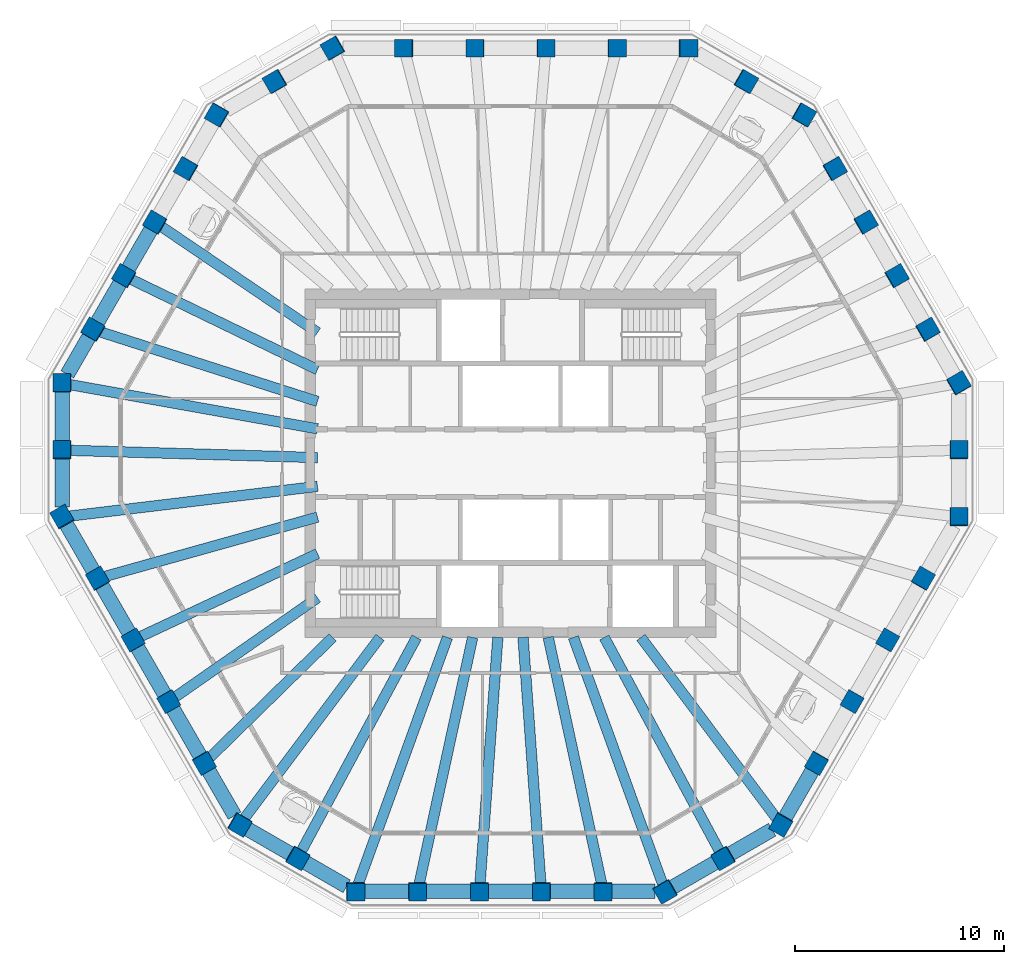
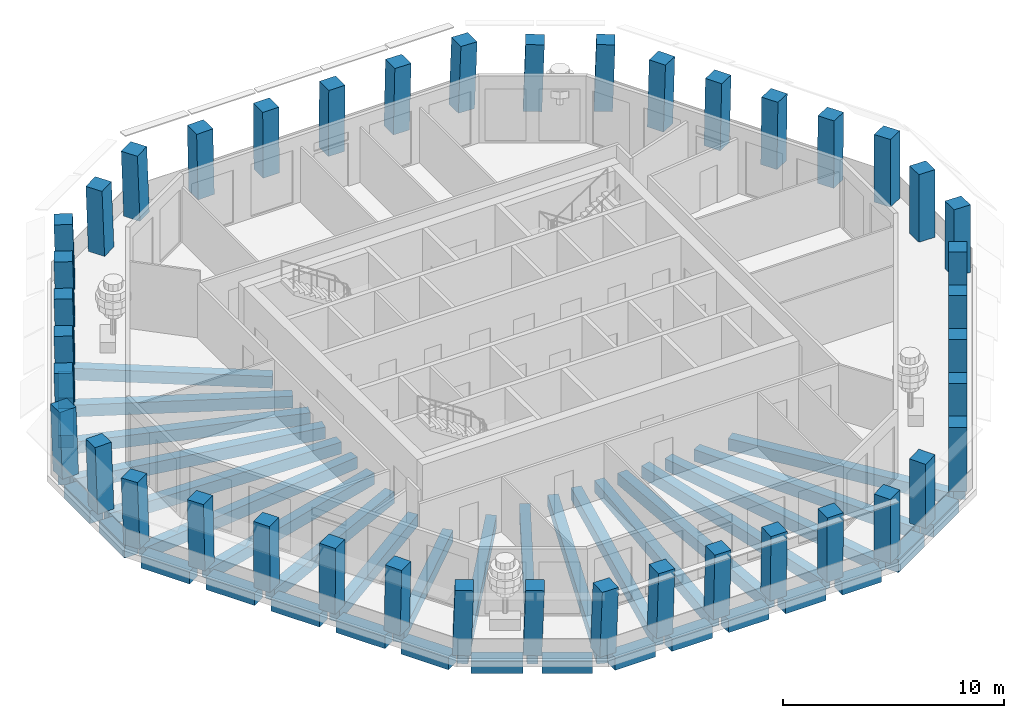
# One storey, part 1 of 11: 42 columns, 40 beams.
"""IFC4 building model written with IfcOpenShell, lengths in metres."""

from ifc_helpers import new_model, si_unit, direction, frame, origin, origin_2d, place, context, subcontext, project, spatial, rectangle, extrude, material, material_profile, profile_set, type_object, element, save


model = new_model("IFC4")

# Units and contexts
model_context = context("Model", 3, precision=1e-05, world=origin(), true_north=direction((0.0, 1.0)))
body_context = subcontext(model_context, "Body", "Model", "MODEL_VIEW")
ifc_project = project(units=[si_unit("LENGTHUNIT", "METRE"), si_unit("AREAUNIT", "SQUARE_METRE"), si_unit("VOLUMEUNIT", "CUBIC_METRE"), si_unit("PLANEANGLEUNIT", "RADIAN"), si_unit("MASSUNIT", "GRAM", prefix="KILO")], contexts=[model_context])

# Site, building, storey
site_placement = place(None, origin())
site = spatial("IfcSite", under=ifc_project, at=site_placement, CompositionType="ELEMENT")
building_placement = place(site_placement, origin())
building = spatial("IfcBuilding", under=site, at=building_placement, Name="Frailejon Research Tower", CompositionType="ELEMENT")
storey_placement = place(building_placement, frame((0.0, 0.0, 328.60009765625)))
storey = spatial("IfcBuildingStorey", under=building, at=storey_placement, Name="L73", CompositionType="ELEMENT", Elevation=328.60009765625)

# Columns
ifc_material_1 = material(Name="Concrete C50/60", Category="concrete")
ifc_material_profile_1 = material_profile(ifc_material_1, rectangle(XDim=0.85009765625, YDim=0.85009765625, at=origin_2d()), Name="Column 850")
ifc_profile_set_1 = profile_set([ifc_material_profile_1], Name="Concrete C50/60")
column_type = type_object("IfcColumnType", Name="Column 850", PredefinedType="COLUMN", material=ifc_profile_set_1)
for number, where, z_axis, x_axis, name in (
    (1, (21.490478515625, -2.577392578125, 0.0), (0.018115203871, 0.031350666477, 0.999344272561), (-0.000374749584, 0.999508428335, -0.031349023127), "Column C01"),
    (2, (21.490478515625, 0.62841796875, 0.0), (0.018115165867, 0.031417446337, 0.999342176049), (-0.001297375745, 0.999506085267, -0.031399081689), "Column C02"),
    (3, (21.490478515625, 3.834716796875, 0.0), (0.018115203871, 0.031350666477, 0.999344272561), (-0.50024246066, 0.865696385282, -0.018090026613), "Column C03"),
):
    element("IfcColumn", number, at=place(storey_placement, frame(where, z_axis=z_axis, x_axis=x_axis)), inside=storey, type_object=column_type, Name=name, PredefinedType="COLUMN", context=body_context, shape_type="SweptSolid", body=[
        extrude(rectangle(XDim=0.85009765625, YDim=0.85009765625, at=origin_2d()), origin(), (0.0, 0.0, 1.0), 3.65234375),
    ])
column_1_placement = place(storey_placement, frame((20.005615234375, 6.406494140625, 0.0), z_axis=(0.021727128018, 0.025136615799, 0.999447888814), x_axis=(-0.501407060892, 0.86514336922, -0.010858636257)))
element("IfcColumn", 4, at=column_1_placement, inside=storey, type_object=column_type, Name="Column C04", PredefinedType="COLUMN", context=body_context, shape_type="SweptSolid", body=[
    extrude(rectangle(XDim=0.85009765625, YDim=0.85009765625, at=origin_2d()), origin(), (0.0, 0.0, 1.0), 3.65185546875),
])
for number, where, z_axis, x_axis, name in (
    (5, (18.520751953125, 8.978271484375, 0.0), (0.025338523594, 0.018853466104, 0.999501128583), (-0.500627648171, 0.865655086229, -0.00363724787), "Column C05"),
    (6, (17.035888671875, 11.55029296875, 0.0), (0.028948783264, 0.012568986729, 0.999501870193), (-0.500578291993, 0.865683733157, 0.003612164455), "Column C06"),
):
    element("IfcColumn", number, at=place(storey_placement, frame(where, z_axis=z_axis, x_axis=x_axis)), inside=storey, type_object=column_type, Name=name, PredefinedType="COLUMN", context=body_context, shape_type="SweptSolid", body=[
        extrude(rectangle(XDim=0.85009765625, YDim=0.85009765625, at=origin_2d()), origin(), (0.0, 0.0, 1.0), 3.651611328125),
    ])
column_2_placement = place(storey_placement, frame((15.55078125, 14.1220703125, 0.0), z_axis=(0.032690901241, 0.006284140525, 0.999445753682), x_axis=(-0.49982900143, 0.866055473539, 0.010903489444)))
element("IfcColumn", 7, at=column_2_placement, inside=storey, type_object=column_type, Name="Column C07", PredefinedType="COLUMN", context=body_context, shape_type="SweptSolid", body=[
    extrude(rectangle(XDim=0.85009765625, YDim=0.85009765625, at=origin_2d()), origin(), (0.0, 0.0, 1.0), 3.65185546875),
])
for number, where, z_axis, x_axis, name in (
    (8, (14.066162109375, 16.69384765625, 0.0), (0.036230378439, 0.0, 0.99934346432), (-0.865314641241, 0.500246354177, 0.031371273281), "Column C08"),
    (9, (11.28955078125, 18.297119140625, 0.0), (0.036297136169, 0.0, 0.99934104184), (-0.865312543657, 0.500246354177, 0.031429077673), "Column C09"),
    (10, (8.512939453125, 19.89990234375, 0.0), (0.036297136169, 0.0, 0.99934104184), (-0.99934104184, 0.0, 0.036297136169), "Column C10"),
):
    element("IfcColumn", number, at=place(storey_placement, frame(where, z_axis=z_axis, x_axis=x_axis)), inside=storey, type_object=column_type, Name=name, PredefinedType="COLUMN", context=body_context, shape_type="SweptSolid", body=[
        extrude(rectangle(XDim=0.85009765625, YDim=0.85009765625, at=origin_2d()), origin(), (0.0, 0.0, 1.0), 3.65234375),
    ])
column_3_placement = place(storey_placement, frame((5.10791015625, 19.89990234375, 0.0), z_axis=(0.021733995409, 0.0, 0.999763788824), x_axis=(-0.999763788824, 0.0, 0.021733995409)))
element("IfcColumn", 11, at=column_3_placement, inside=storey, type_object=column_type, Name="Column C11", PredefinedType="COLUMN", context=body_context, shape_type="SweptSolid", body=[
    extrude(rectangle(XDim=0.85009765625, YDim=0.85009765625, at=origin_2d()), origin(), (0.0, 0.0, 1.0), 3.65087890625),
])
for number, where, z_axis, x_axis, name in (
    (12, (1.70263671875, 19.89990234375, 0.0), (0.007223891772, 0.0, 0.999973907353), (-0.999973907353, 0.0, 0.007223891772), "Column C12"),
    (13, (-1.70263671875, 19.89990234375, 0.0), (-0.007223891772, 0.0, 0.999973907353), (-0.999973907353, 0.0, -0.007223891772), "Column C13"),
):
    element("IfcColumn", number, at=place(storey_placement, frame(where, z_axis=z_axis, x_axis=x_axis)), inside=storey, type_object=column_type, Name=name, PredefinedType="COLUMN", context=body_context, shape_type="SweptSolid", body=[
        extrude(rectangle(XDim=0.85009765625, YDim=0.85009765625, at=origin_2d()), origin(), (0.0, 0.0, 1.0), 3.64990234375),
    ])
column_4_placement = place(storey_placement, frame((-5.10791015625, 19.89990234375, 0.0), z_axis=(-0.021733995409, 0.0, 0.999763788824), x_axis=(-0.999763788824, 0.0, -0.021733995409)))
element("IfcColumn", 14, at=column_4_placement, inside=storey, type_object=column_type, Name="Column C14", PredefinedType="COLUMN", context=body_context, shape_type="SweptSolid", body=[
    extrude(rectangle(XDim=0.85009765625, YDim=0.85009765625, at=origin_2d()), origin(), (0.0, 0.0, 1.0), 3.65087890625),
])
for number, where, z_axis, x_axis, name in (
    (15, (-8.512939453125, 19.89990234375, 0.0), (-0.036297136169, 0.0, 0.99934104184), (-0.865312543657, -0.500246354177, -0.031429077673), "Column C15"),
    (16, (-11.28955078125, 18.297119140625, 0.0), (-0.036297136169, 0.0, 0.99934104184), (-0.865312543657, -0.500246354177, -0.031429077673), "Column C16"),
    (17, (-14.066162109375, 16.69384765625, 0.0), (-0.036230378439, 0.0, 0.99934346432), (-0.499425499283, -0.866167613071, -0.018106262248), "Column C17"),
):
    element("IfcColumn", number, at=place(storey_placement, frame(where, z_axis=z_axis, x_axis=x_axis)), inside=storey, type_object=column_type, Name=name, PredefinedType="COLUMN", context=body_context, shape_type="SweptSolid", body=[
        extrude(rectangle(XDim=0.85009765625, YDim=0.85009765625, at=origin_2d()), origin(), (0.0, 0.0, 1.0), 3.65234375),
    ])
column_5_placement = place(storey_placement, frame((-15.55078125, 14.1220703125, 0.0), z_axis=(-0.032690901241, 0.006284140525, 0.999445753682), x_axis=(-0.49982900143, -0.866055473539, -0.010903489444)))
element("IfcColumn", 18, at=column_5_placement, inside=storey, type_object=column_type, Name="Column C18", PredefinedType="COLUMN", context=body_context, shape_type="SweptSolid", body=[
    extrude(rectangle(XDim=0.85009765625, YDim=0.85009765625, at=origin_2d()), origin(), (0.0, 0.0, 1.0), 3.65185546875),
])
for number, where, z_axis, x_axis, name in (
    (19, (-17.035888671875, 11.55029296875, 0.0), (-0.028948783264, 0.012568986729, 0.999501870193), (-0.500578291993, -0.865683733157, -0.003612164455), "Column C19"),
    (20, (-18.520751953125, 8.978271484375, 0.0), (-0.025338523594, 0.018853466104, 0.999501128583), (-0.500627648171, -0.865655086229, 0.00363724787), "Column C20"),
):
    element("IfcColumn", number, at=place(storey_placement, frame(where, z_axis=z_axis, x_axis=x_axis)), inside=storey, type_object=column_type, Name=name, PredefinedType="COLUMN", context=body_context, shape_type="SweptSolid", body=[
        extrude(rectangle(XDim=0.85009765625, YDim=0.85009765625, at=origin_2d()), origin(), (0.0, 0.0, 1.0), 3.651611328125),
    ])
column_6_placement = place(storey_placement, frame((-20.005615234375, 6.406494140625, 0.0), z_axis=(-0.021727128018, 0.025136615799, 0.999447888814), x_axis=(-0.501407060892, -0.86514336922, 0.010858636257)))
element("IfcColumn", 21, at=column_6_placement, inside=storey, type_object=column_type, Name="Column C21", PredefinedType="COLUMN", context=body_context, shape_type="SweptSolid", body=[
    extrude(rectangle(XDim=0.85009765625, YDim=0.85009765625, at=origin_2d()), origin(), (0.0, 0.0, 1.0), 3.65185546875),
])
for number, where, z_axis, x_axis, name in (
    (22, (-21.490478515625, 3.834716796875, 0.0), (-0.018115203871, 0.031350666477, 0.999344272561), (-0.000374749584, -0.999508428335, 0.031349023127), "Column C22"),
    (23, (-21.490478515625, 0.62841796875, 0.0), (-0.018115165867, 0.031417446337, 0.999342176049), (-0.001297375745, -0.999506085267, 0.031399081689), "Column C23"),
    (24, (-21.490478515625, -2.577392578125, 0.0), (-0.018115203871, 0.031350666477, 0.999344272561), (0.499839742394, -0.865360738107, 0.036208077349), "Column C24"),
):
    element("IfcColumn", number, at=place(storey_placement, frame(where, z_axis=z_axis, x_axis=x_axis)), inside=storey, type_object=column_type, Name=name, PredefinedType="COLUMN", context=body_context, shape_type="SweptSolid", body=[
        extrude(rectangle(XDim=0.85009765625, YDim=0.85009765625, at=origin_2d()), origin(), (0.0, 0.0, 1.0), 3.65234375),
    ])
column_7_placement = place(storey_placement, frame((-19.787841796875, -5.526611328125, 0.0), z_axis=(-0.010833557325, 0.018858414602, 0.999763469144), x_axis=(0.498285075857, -0.866740432575, 0.0217486946)))
element("IfcColumn", 25, at=column_7_placement, inside=storey, type_object=column_type, Name="Column C25", PredefinedType="COLUMN", context=body_context, shape_type="SweptSolid", body=[
    extrude(rectangle(XDim=0.85009765625, YDim=0.85009765625, at=origin_2d()), origin(), (0.0, 0.0, 1.0), 3.65087890625),
])
for number, where, z_axis, x_axis, name in (
    (26, (-18.085205078125, -8.4755859375, 0.0), (-0.003611945175, 0.00628746012, 0.999973710503), (0.497890394796, -0.867209649664, 0.007251089524), "Column C26"),
    (27, (-16.382568359375, -11.424560546875, 0.0), (0.003611945175, -0.00628746012, 0.999973710503), (0.497890394796, -0.867209649664, -0.007251089524), "Column C27"),
):
    element("IfcColumn", number, at=place(storey_placement, frame(where, z_axis=z_axis, x_axis=x_axis)), inside=storey, type_object=column_type, Name=name, PredefinedType="COLUMN", context=body_context, shape_type="SweptSolid", body=[
        extrude(rectangle(XDim=0.85009765625, YDim=0.85009765625, at=origin_2d()), origin(), (0.0, 0.0, 1.0), 3.64990234375),
    ])
column_8_placement = place(storey_placement, frame((-14.679931640625, -14.37353515625, 0.0), z_axis=(0.010833557325, -0.018858414602, 0.999763469144), x_axis=(0.498285075857, -0.866740432575, -0.0217486946)))
element("IfcColumn", 28, at=column_8_placement, inside=storey, type_object=column_type, Name="Column C28", PredefinedType="COLUMN", context=body_context, shape_type="SweptSolid", body=[
    extrude(rectangle(XDim=0.85009765625, YDim=0.85009765625, at=origin_2d()), origin(), (0.0, 0.0, 1.0), 3.65087890625),
])
for number, where, z_axis, x_axis, name in (
    (29, (-12.977294921875, -17.322509765625, 0.0), (0.018115165867, -0.031417446337, 0.999342176049), (0.865519692755, -0.499889378995, -0.031404939456), "Column C29"),
    (30, (-10.200927734375, -18.925537109375, 0.0), (0.018115165867, -0.031417446337, 0.999342176049), (0.865519692755, -0.499889378995, -0.031404939456), "Column C30"),
    (31, (-7.42431640625, -20.528564453125, 0.0), (0.018115165867, -0.031417446337, 0.999342176049), (0.999835898247, 0.000437581599, -0.018110358868), "Column C31"),
):
    element("IfcColumn", number, at=place(storey_placement, frame(where, z_axis=z_axis, x_axis=x_axis)), inside=storey, type_object=column_type, Name=name, PredefinedType="COLUMN", context=body_context, shape_type="SweptSolid", body=[
        extrude(rectangle(XDim=0.85009765625, YDim=0.85009765625, at=origin_2d()), origin(), (0.0, 0.0, 1.0), 3.65234375),
    ])
column_9_placement = place(storey_placement, frame((-4.45458984375, -20.528564453125, 0.0), z_axis=(0.010896978963, -0.031420736888, 0.99944684358), x_axis=(0.99994040428, 0.001008258557, -0.0108706625)))
element("IfcColumn", 32, at=column_9_placement, inside=storey, type_object=column_type, Name="Column C32", PredefinedType="COLUMN", context=body_context, shape_type="SweptSolid", body=[
    extrude(rectangle(XDim=0.85009765625, YDim=0.85009765625, at=origin_2d()), origin(), (0.0, 0.0, 1.0), 3.65185546875),
])
for number, where, z_axis, x_axis, name in (
    (33, (-1.48486328125, -20.528564453125, 0.0), (0.003610232938, -0.031422397791, 0.999499674405), (0.999993379572, -0.000341341874, -0.00362274737), "Column C33"),
    (34, (1.48486328125, -20.528564453125, 0.0), (-0.003610232938, -0.031422397791, 0.999499674405), (0.999993379572, 0.000341341874, 0.00362274737), "Column C34"),
):
    element("IfcColumn", number, at=place(storey_placement, frame(where, z_axis=z_axis, x_axis=x_axis)), inside=storey, type_object=column_type, Name=name, PredefinedType="COLUMN", context=body_context, shape_type="SweptSolid", body=[
        extrude(rectangle(XDim=0.85009765625, YDim=0.85009765625, at=origin_2d()), origin(), (0.0, 0.0, 1.0), 3.651611328125),
    ])
column_10_placement = place(storey_placement, frame((4.45458984375, -20.528564453125, 0.0), z_axis=(-0.010896978963, -0.031420736888, 0.99944684358), x_axis=(0.99994040428, -0.001008258557, 0.0108706625)))
element("IfcColumn", 35, at=column_10_placement, inside=storey, type_object=column_type, Name="Column C35", PredefinedType="COLUMN", context=body_context, shape_type="SweptSolid", body=[
    extrude(rectangle(XDim=0.85009765625, YDim=0.85009765625, at=origin_2d()), origin(), (0.0, 0.0, 1.0), 3.65185546875),
])
for number, where, z_axis, x_axis, name in (
    (36, (7.42431640625, -20.528564453125, 0.0), (-0.018115165867, -0.031417446337, 0.999342176049), (0.865818316477, 0.499372659284, 0.031394107935), "Column C36"),
    (37, (10.200927734375, -18.925537109375, 0.0), (-0.018115165867, -0.031417446337, 0.999342176049), (0.865519692755, 0.499889378995, 0.031404939456), "Column C37"),
    (38, (12.977294921875, -17.322509765625, 0.0), (-0.018115165867, -0.031417446337, 0.999342176049), (0.499040470376, 0.865819492615, 0.036265894916), "Column C38"),
):
    element("IfcColumn", number, at=place(storey_placement, frame(where, z_axis=z_axis, x_axis=x_axis)), inside=storey, type_object=column_type, Name=name, PredefinedType="COLUMN", context=body_context, shape_type="SweptSolid", body=[
        extrude(rectangle(XDim=0.85009765625, YDim=0.85009765625, at=origin_2d()), origin(), (0.0, 0.0, 1.0), 3.65234375),
    ])
column_11_placement = place(storey_placement, frame((14.679931640625, -14.37353515625, 0.0), z_axis=(-0.010833557325, -0.018858414602, 0.999763469144), x_axis=(0.498285075857, 0.866740432575, 0.0217486946)))
element("IfcColumn", 39, at=column_11_placement, inside=storey, type_object=column_type, Name="Column C39", PredefinedType="COLUMN", context=body_context, shape_type="SweptSolid", body=[
    extrude(rectangle(XDim=0.85009765625, YDim=0.85009765625, at=origin_2d()), origin(), (0.0, 0.0, 1.0), 3.65087890625),
])
for number, where, z_axis, x_axis, name in (
    (40, (16.382568359375, -11.424560546875, 0.0), (-0.003611945175, -0.00628746012, 0.999973710503), (0.497890394796, 0.867209649664, 0.007251089524), "Column C40"),
    (41, (18.085205078125, -8.4755859375, 0.0), (0.003611945175, 0.00628746012, 0.999973710503), (0.497890394796, 0.867209649664, -0.007251089524), "Column C41"),
):
    element("IfcColumn", number, at=place(storey_placement, frame(where, z_axis=z_axis, x_axis=x_axis)), inside=storey, type_object=column_type, Name=name, PredefinedType="COLUMN", context=body_context, shape_type="SweptSolid", body=[
        extrude(rectangle(XDim=0.85009765625, YDim=0.85009765625, at=origin_2d()), origin(), (0.0, 0.0, 1.0), 3.64990234375),
    ])
column_12_placement = place(storey_placement, frame((19.787841796875, -5.526611328125, 0.0), z_axis=(0.010833557325, 0.018858414602, 0.999763469144), x_axis=(0.498285075857, 0.866740432575, -0.0217486946)))
element("IfcColumn", 42, at=column_12_placement, inside=storey, type_object=column_type, Name="Column C42", PredefinedType="COLUMN", context=body_context, shape_type="SweptSolid", body=[
    extrude(rectangle(XDim=0.85009765625, YDim=0.85009765625, at=origin_2d()), origin(), (0.0, 0.0, 1.0), 3.65087890625),
])

# Beams
ifc_material_2 = material(Name="Concrete C60/75", Category="concrete")
ifc_material_profile_2 = material_profile(ifc_material_2, rectangle(XDim=0.5, YDim=0.64990234375, at=origin_2d()), Name="Girder 500x650")
ifc_profile_set_2 = profile_set([ifc_material_profile_2], Name="Concrete C60/75")
beam_type_1 = type_object("IfcBeamType", Name="Girder 500x650", PredefinedType="BEAM", material=ifc_profile_set_2)
beam_1_placement = place(storey_placement, frame((-16.807373046875, 11.395263671875, -0.625), z_axis=(0.827701551615, -0.561168549951, 0.0), x_axis=(0.561168549951, 0.827701551615, 0.0)))
element("IfcBeam", 43, at=beam_1_placement, inside=storey, type_object=beam_type_1, Name="Girder 500x650", PredefinedType="BEAM", context=body_context, shape_type="SweptSolid", body=[
    extrude(rectangle(XDim=0.5, YDim=0.64990234375, at=origin_2d()), origin(), (0.0, 0.0, 1.0), 9.130615234375),
])
beam_2_placement = place(storey_placement, frame((-18.272216796875, 8.85791015625, -0.625), z_axis=(0.8998387269, -0.43622272473, 0.0), x_axis=(0.43622272473, 0.8998387269, 0.0)))
element("IfcBeam", 44, at=beam_2_placement, inside=storey, type_object=beam_type_1, Name="Girder 500x650", PredefinedType="BEAM", context=body_context, shape_type="SweptSolid", body=[
    extrude(rectangle(XDim=0.5, YDim=0.64990234375, at=origin_2d()), origin(), (0.0, 0.0, 1.0), 10.0263671875),
])
beam_3_placement = place(storey_placement, frame((-19.734130859375, 6.319580078125, -0.625), z_axis=(0.952358204697, -0.304981720676, 0.0), x_axis=(0.304981720676, 0.952358204697, 0.0)))
element("IfcBeam", 45, at=beam_3_placement, inside=storey, type_object=beam_type_1, Name="Girder 500x650", PredefinedType="BEAM", context=body_context, shape_type="SweptSolid", body=[
    extrude(rectangle(XDim=0.5, YDim=0.64990234375, at=origin_2d()), origin(), (0.0, 0.0, 1.0), 11.008544921875),
])
beam_4_placement = place(storey_placement, frame((-21.213134765625, 3.78515625, -0.625), z_axis=(0.984449049228, -0.175670343186, 0.0), x_axis=(0.175670343186, 0.984449049228, 0.0)))
element("IfcBeam", 46, at=beam_4_placement, inside=storey, type_object=beam_type_1, Name="Girder 500x650", PredefinedType="BEAM", context=body_context, shape_type="SweptSolid", body=[
    extrude(rectangle(XDim=0.5, YDim=0.64990234375, at=origin_2d()), origin(), (0.0, 0.0, 1.0), 12.152099609375),
])
beam_5_placement = place(storey_placement, frame((-21.21533203125, 0.62060546875, -0.625), z_axis=(0.999572220313, -0.029246818281, 0.0), x_axis=(0.029246818281, 0.999572220313, 0.0)))
element("IfcBeam", 47, at=beam_5_placement, inside=storey, type_object=beam_type_1, Name="Girder 500x650", PredefinedType="BEAM", context=body_context, shape_type="SweptSolid", body=[
    extrude(rectangle(XDim=0.5, YDim=0.64990234375, at=origin_2d()), origin(), (0.0, 0.0, 1.0), 11.970458984375),
])
beam_6_placement = place(storey_placement, frame((-21.180419921875, -2.540283203125, -0.625), z_axis=(0.992884143441, 0.119084330217, 0.0), x_axis=(-0.119084330217, 0.992884143441, 0.0)))
element("IfcBeam", 48, at=beam_6_placement, inside=storey, type_object=beam_type_1, Name="Girder 500x650", PredefinedType="BEAM", context=body_context, shape_type="SweptSolid", body=[
    extrude(rectangle(XDim=0.5, YDim=0.64990234375, at=origin_2d()), origin(), (0.0, 0.0, 1.0), 12.015869140625),
])
beam_7_placement = place(storey_placement, frame((-19.509765625, -5.44873046875, -0.625), z_axis=(0.963146606042, 0.268976979072, 0.0), x_axis=(-0.268976979072, 0.963146606042, 0.0)))
element("IfcBeam", 49, at=beam_7_placement, inside=storey, type_object=beam_type_1, Name="Girder 500x650", PredefinedType="BEAM", context=body_context, shape_type="SweptSolid", body=[
    extrude(rectangle(XDim=0.5, YDim=0.64990234375, at=origin_2d()), origin(), (0.0, 0.0, 1.0), 10.65234375),
])
beam_8_placement = place(storey_placement, frame((-17.834716796875, -8.358154296875, -0.625), z_axis=(0.905495116527, 0.424356682457, 0.0), x_axis=(-0.424356682457, 0.905495116527, 0.0)))
element("IfcBeam", 50, at=beam_8_placement, inside=storey, type_object=beam_type_1, Name="Girder 500x650", PredefinedType="BEAM", context=body_context, shape_type="SweptSolid", body=[
    extrude(rectangle(XDim=0.5, YDim=0.64990234375, at=origin_2d()), origin(), (0.0, 0.0, 1.0), 9.480712890625),
])
beam_9_placement = place(storey_placement, frame((-16.15576171875, -11.266357421875, -0.625), z_axis=(0.820241495827, 0.572017384808, 0.0), x_axis=(-0.572017384808, 0.820241495827, 0.0)))
element("IfcBeam", 51, at=beam_9_placement, inside=storey, type_object=beam_type_1, Name="Girder 500x650", PredefinedType="BEAM", context=body_context, shape_type="SweptSolid", body=[
    extrude(rectangle(XDim=0.5, YDim=0.64990234375, at=origin_2d()), origin(), (0.0, 0.0, 1.0), 8.419189453125),
])
beam_10_placement = place(storey_placement, frame((-14.4736328125, -14.17138671875, -0.625), z_axis=(0.714534565686, 0.699600138965, 0.0), x_axis=(-0.699600138965, 0.714534565686, 0.0)))
element("IfcBeam", 52, at=beam_10_placement, inside=storey, type_object=beam_type_1, Name="Girder 500x650", PredefinedType="BEAM", context=body_context, shape_type="SweptSolid", body=[
    extrude(rectangle(XDim=0.5, YDim=0.64990234375, at=origin_2d()), origin(), (0.0, 0.0, 1.0), 8.32080078125),
])
beam_11_placement = place(storey_placement, frame((-12.810791015625, -17.10009765625, -0.625), z_axis=(0.599571170204, 0.800321442834, 0.0), x_axis=(-0.800321442834, 0.599571170204, 0.0)))
element("IfcBeam", 53, at=beam_11_placement, inside=storey, type_object=beam_type_1, Name="Girder 500x650", PredefinedType="BEAM", context=body_context, shape_type="SweptSolid", body=[
    extrude(rectangle(XDim=0.5, YDim=0.64990234375, at=origin_2d()), origin(), (0.0, 0.0, 1.0), 10.93310546875),
])
beam_12_placement = place(storey_placement, frame((-10.0703125, -18.683349609375, -0.625), z_axis=(0.474464414929, 0.880274683815, 0.0), x_axis=(-0.880274683815, 0.474464414929, 0.0)))
element("IfcBeam", 54, at=beam_12_placement, inside=storey, type_object=beam_type_1, Name="Girder 500x650", PredefinedType="BEAM", context=body_context, shape_type="SweptSolid", body=[
    extrude(rectangle(XDim=0.5, YDim=0.64990234375, at=origin_2d()), origin(), (0.0, 0.0, 1.0), 11.73876953125),
])
beam_13_placement = place(storey_placement, frame((-7.321533203125, -20.24462890625, -0.625), z_axis=(0.340099764745, 0.940389360861, 0.0), x_axis=(-0.940389360861, 0.340099764745, 0.0)))
element("IfcBeam", 55, at=beam_13_placement, inside=storey, type_object=beam_type_1, Name="Girder 500x650", PredefinedType="BEAM", context=body_context, shape_type="SweptSolid", body=[
    extrude(rectangle(XDim=0.5, YDim=0.64990234375, at=origin_2d()), origin(), (0.0, 0.0, 1.0), 12.6484375),
])
beam_14_placement = place(storey_placement, frame((-4.394287109375, -20.25, -0.625), z_axis=(0.21206421355, 0.977255733844, 0.0), x_axis=(-0.977255733844, 0.21206421355, 0.0)))
element("IfcBeam", 56, at=beam_14_placement, inside=storey, type_object=beam_type_1, Name="Girder 500x650", PredefinedType="BEAM", context=body_context, shape_type="SweptSolid", body=[
    extrude(rectangle(XDim=0.5, YDim=0.64990234375, at=origin_2d()), origin(), (0.0, 0.0, 1.0), 12.1767578125),
])
for number, where, z_axis, x_axis, name in (
    (57, (-1.465087890625, -20.253173828125, -0.625), (0.072152747522, 0.997393593836, 0.0), (-0.997393593836, 0.072152747522, 0.0), "Girder 500x650"),
    (58, (1.465087890625, -20.253173828125, -0.625), (-0.072152747522, 0.997393593836, 0.0), (-0.997393593836, -0.072152747522, 0.0), "Girder 500x650"),
):
    element("IfcBeam", number, at=place(storey_placement, frame(where, z_axis=z_axis, x_axis=x_axis)), inside=storey, type_object=beam_type_1, Name=name, PredefinedType="BEAM", context=body_context, shape_type="SweptSolid", body=[
        extrude(rectangle(XDim=0.5, YDim=0.64990234375, at=origin_2d()), origin(), (0.0, 0.0, 1.0), 11.93408203125),
    ])
beam_15_placement = place(storey_placement, frame((4.394287109375, -20.25, -0.625), z_axis=(-0.21206421355, 0.977255733844, 0.0), x_axis=(-0.977255733844, -0.21206421355, 0.0)))
element("IfcBeam", 59, at=beam_15_placement, inside=storey, type_object=beam_type_1, Name="Girder 500x650", PredefinedType="BEAM", context=body_context, shape_type="SweptSolid", body=[
    extrude(rectangle(XDim=0.5, YDim=0.64990234375, at=origin_2d()), origin(), (0.0, 0.0, 1.0), 12.1767578125),
])
beam_16_placement = place(storey_placement, frame((7.32861328125, -20.263671875, -0.625), z_axis=(-0.34011323875, 0.940384487764, 0.0), x_axis=(-0.940384487764, -0.34011323875, 0.0)))
element("IfcBeam", 60, at=beam_16_placement, inside=storey, type_object=beam_type_1, Name="Girder 500x650", PredefinedType="BEAM", context=body_context, shape_type="SweptSolid", body=[
    extrude(rectangle(XDim=0.5, YDim=0.64990234375, at=origin_2d()), origin(), (0.0, 0.0, 1.0), 12.6689453125),
])
beam_17_placement = place(storey_placement, frame((10.0703125, -18.683349609375, -0.625), z_axis=(-0.474464414929, 0.880274683815, 0.0), x_axis=(-0.880274683815, -0.474464414929, 0.0)))
element("IfcBeam", 61, at=beam_17_placement, inside=storey, type_object=beam_type_1, Name="Girder 500x650", PredefinedType="BEAM", context=body_context, shape_type="SweptSolid", body=[
    extrude(rectangle(XDim=0.5, YDim=0.64990234375, at=origin_2d()), origin(), (0.0, 0.0, 1.0), 11.73876953125),
])
beam_18_placement = place(storey_placement, frame((12.790283203125, -17.072509765625, -0.625), z_axis=(-0.599580574062, 0.800314397726, 0.0), x_axis=(-0.800314397726, -0.599580574062, 0.0)))
element("IfcBeam", 62, at=beam_18_placement, inside=storey, type_object=beam_type_1, Name="Girder 500x650", PredefinedType="BEAM", context=body_context, shape_type="SweptSolid", body=[
    extrude(rectangle(XDim=0.5, YDim=0.64990234375, at=origin_2d()), origin(), (0.0, 0.0, 1.0), 10.898681640625),
])
ifc_material_3 = material(Name="Concrete C60/75", Category="concrete")
ifc_material_profile_3 = material_profile(ifc_material_3, rectangle(XDim=0.699951171875, YDim=0.699951171875, at=origin_2d()), Name="Spandrel 700x700")
ifc_profile_set_3 = profile_set([ifc_material_profile_3], Name="Concrete C60/75")
beam_type_2 = type_object("IfcBeamType", Name="Spandrel 700x700", PredefinedType="BEAM", material=ifc_profile_set_3)
beam_19_placement = place(storey_placement, frame((-17.248291015625, 11.18212890625, -0.7001953125), z_axis=(-0.499991648869, -0.866030225258, 0.0), x_axis=(0.866030225258, -0.499991648869, 0.0)))
element("IfcBeam", 63, at=beam_19_placement, inside=storey, type_object=beam_type_2, Name="Spandrel 700x700", PredefinedType="BEAM", context=body_context, shape_type="SweptSolid", body=[
    extrude(rectangle(XDim=0.699951171875, YDim=0.699951171875, at=origin_2d()), origin(), (0.0, 0.0, 1.0), 2.11962890625),
])
beam_20_placement = place(storey_placement, frame((-18.733154296875, 8.610107421875, -0.7001953125), z_axis=(-0.500041526391, -0.866001427184, 0.0), x_axis=(0.866001427184, -0.500041526391, 0.0)))
element("IfcBeam", 64, at=beam_20_placement, inside=storey, type_object=beam_type_2, Name="Spandrel 700x700", PredefinedType="BEAM", context=body_context, shape_type="SweptSolid", body=[
    extrude(rectangle(XDim=0.699951171875, YDim=0.699951171875, at=origin_2d()), origin(), (0.0, 0.0, 1.0), 2.119384765625),
])
beam_21_placement = place(storey_placement, frame((-20.218017578125, 6.038330078125, -0.7001953125), z_axis=(-0.500037969364, -0.866003481052, 0.0), x_axis=(0.866003481052, -0.500037969364, 0.0)))
element("IfcBeam", 65, at=beam_21_placement, inside=storey, type_object=beam_type_2, Name="Spandrel 700x700", PredefinedType="BEAM", context=body_context, shape_type="SweptSolid", body=[
    extrude(rectangle(XDim=0.699951171875, YDim=0.699951171875, at=origin_2d()), origin(), (0.0, 0.0, 1.0), 2.053955078125),
])
beam_22_placement = place(storey_placement, frame((-21.490478515625, 3.40966796875, -0.7001953125), z_axis=(0.0, -1.0, 0.0), x_axis=(1.0, 0.0, 0.0)))
element("IfcBeam", 66, at=beam_22_placement, inside=storey, type_object=beam_type_2, Name="Spandrel 700x700", PredefinedType="BEAM", context=body_context, shape_type="SweptSolid", body=[
    extrude(rectangle(XDim=0.699951171875, YDim=0.699951171875, at=origin_2d()), origin(), (0.0, 0.0, 1.0), 2.356201171875),
])
beam_23_placement = place(storey_placement, frame((-21.490478515625, 0.20361328125, -0.7001953125), z_axis=(0.0, -1.0, 0.0), x_axis=(1.0, 0.0, 0.0)))
element("IfcBeam", 67, at=beam_23_placement, inside=storey, type_object=beam_type_2, Name="Spandrel 700x700", PredefinedType="BEAM", context=body_context, shape_type="SweptSolid", body=[
    extrude(rectangle(XDim=0.699951171875, YDim=0.699951171875, at=origin_2d()), origin(), (0.0, 0.0, 1.0), 2.29052734375),
])
for number, where, z_axis, x_axis, name in (
    (68, (-21.27783203125, -2.945556640625, -0.7001953125), (0.499992630518, -0.866029658515, 0.0), (0.866029658515, 0.499992630518, 0.0), "Spandrel 700x700"),
    (69, (-19.5751953125, -5.89453125, -0.7001953125), (0.499992630518, -0.866029658515, 0.0), (0.866029658515, 0.499992630518, 0.0), "Spandrel 700x700"),
    (70, (-17.872802734375, -8.843505859375, -0.7001953125), (0.499992630518, -0.866029658515, 0.0), (0.866029658515, 0.499992630518, 0.0), "Spandrel 700x700"),
    (71, (-16.170166015625, -11.79248046875, -0.7001953125), (0.499992630518, -0.866029658515, 0.0), (0.866029658515, 0.499992630518, 0.0), "Spandrel 700x700"),
):
    element("IfcBeam", number, at=place(storey_placement, frame(where, z_axis=z_axis, x_axis=x_axis)), inside=storey, type_object=beam_type_2, Name=name, PredefinedType="BEAM", context=body_context, shape_type="SweptSolid", body=[
        extrude(rectangle(XDim=0.699951171875, YDim=0.699951171875, at=origin_2d()), origin(), (0.0, 0.0, 1.0), 2.55517578125),
    ])
beam_24_placement = place(storey_placement, frame((-14.467529296875, -14.74169921875, -0.7001953125), z_axis=(0.499999788377, -0.866025525965, 0.0), x_axis=(0.866025525965, 0.499999788377, 0.0)))
element("IfcBeam", 72, at=beam_24_placement, inside=storey, type_object=beam_type_2, Name="Spandrel 700x700", PredefinedType="BEAM", context=body_context, shape_type="SweptSolid", body=[
    extrude(rectangle(XDim=0.699951171875, YDim=0.699951171875, at=origin_2d()), origin(), (0.0, 0.0, 1.0), 2.4892578125),
])
beam_25_placement = place(storey_placement, frame((-12.609375, -17.534912109375, -0.7001953125), z_axis=(0.866021643438, -0.500006513054, 0.0), x_axis=(0.500006513054, 0.866021643438, 0.0)))
element("IfcBeam", 73, at=beam_25_placement, inside=storey, type_object=beam_type_2, Name="Spandrel 700x700", PredefinedType="BEAM", context=body_context, shape_type="SweptSolid", body=[
    extrude(rectangle(XDim=0.699951171875, YDim=0.699951171875, at=origin_2d()), origin(), (0.0, 0.0, 1.0), 2.35595703125),
])
beam_26_placement = place(storey_placement, frame((-9.832763671875, -19.137939453125, -0.7001953125), z_axis=(0.86599741159, -0.500048480769, 0.0), x_axis=(0.500048480769, 0.86599741159, 0.0)))
element("IfcBeam", 74, at=beam_26_placement, inside=storey, type_object=beam_type_2, Name="Spandrel 700x700", PredefinedType="BEAM", context=body_context, shape_type="SweptSolid", body=[
    extrude(rectangle(XDim=0.699951171875, YDim=0.699951171875, at=origin_2d()), origin(), (0.0, 0.0, 1.0), 2.290283203125),
])
for number, where, z_axis, x_axis, name in (
    (75, (-6.999267578125, -20.528564453125, -0.7001953125), (1.0, 0.0, 0.0), (0.0, 1.0, 0.0), "Spandrel 700x700"),
    (76, (-4.029541015625, -20.528564453125, -0.7001953125), (1.0, 0.0, 0.0), (0.0, 1.0, 0.0), "Spandrel 700x700"),
    (77, (-1.059814453125, -20.528564453125, -0.7001953125), (1.0, 0.0, 0.0), (0.0, 1.0, 0.0), "Spandrel 700x700"),
    (78, (1.909912109375, -20.528564453125, -0.7001953125), (1.0, 0.0, 0.0), (0.0, 1.0, 0.0), "Spandrel 700x700"),
):
    element("IfcBeam", number, at=place(storey_placement, frame(where, z_axis=z_axis, x_axis=x_axis)), inside=storey, type_object=beam_type_2, Name=name, PredefinedType="BEAM", context=body_context, shape_type="SweptSolid", body=[
        extrude(rectangle(XDim=0.699951171875, YDim=0.699951171875, at=origin_2d()), origin(), (0.0, 0.0, 1.0), 2.11962890625),
    ])
beam_27_placement = place(storey_placement, frame((4.879638671875, -20.528564453125, -0.7001953125), z_axis=(1.0, 0.0, 0.0), x_axis=(0.0, 1.0, 0.0)))
element("IfcBeam", 79, at=beam_27_placement, inside=storey, type_object=beam_type_2, Name="Spandrel 700x700", PredefinedType="BEAM", context=body_context, shape_type="SweptSolid", body=[
    extrude(rectangle(XDim=0.699951171875, YDim=0.699951171875, at=origin_2d()), origin(), (0.0, 0.0, 1.0), 2.053955078125),
])
beam_28_placement = place(storey_placement, frame((7.79248046875, -20.31591796875, -0.7001953125), z_axis=(0.866021643438, 0.500006513054, 0.0), x_axis=(-0.500006513054, 0.866021643438, 0.0)))
element("IfcBeam", 80, at=beam_28_placement, inside=storey, type_object=beam_type_2, Name="Spandrel 700x700", PredefinedType="BEAM", context=body_context, shape_type="SweptSolid", body=[
    extrude(rectangle(XDim=0.699951171875, YDim=0.699951171875, at=origin_2d()), origin(), (0.0, 0.0, 1.0), 2.35595703125),
])
beam_29_placement = place(storey_placement, frame((10.569091796875, -18.712890625, -0.7001953125), z_axis=(0.866043571379, 0.499968531483, 0.0), x_axis=(-0.499968531483, 0.866043571379, 0.0)))
element("IfcBeam", 81, at=beam_29_placement, inside=storey, type_object=beam_type_2, Name="Spandrel 700x700", PredefinedType="BEAM", context=body_context, shape_type="SweptSolid", body=[
    extrude(rectangle(XDim=0.699951171875, YDim=0.699951171875, at=origin_2d()), origin(), (0.0, 0.0, 1.0), 2.290283203125),
])
beam_30_placement = place(storey_placement, frame((13.18994140625, -16.954345703125, -0.7001953125), z_axis=(0.50003400563, 0.866005769735, 0.0), x_axis=(-0.866005769735, 0.50003400563, 0.0)))
element("IfcBeam", 82, at=beam_30_placement, inside=storey, type_object=beam_type_2, Name="Spandrel 700x700", PredefinedType="BEAM", context=body_context, shape_type="SweptSolid", body=[
    extrude(rectangle(XDim=0.699951171875, YDim=0.699951171875, at=origin_2d()), origin(), (0.0, 0.0, 1.0), 2.554931640625),
])

save(model, "model.ifc")
